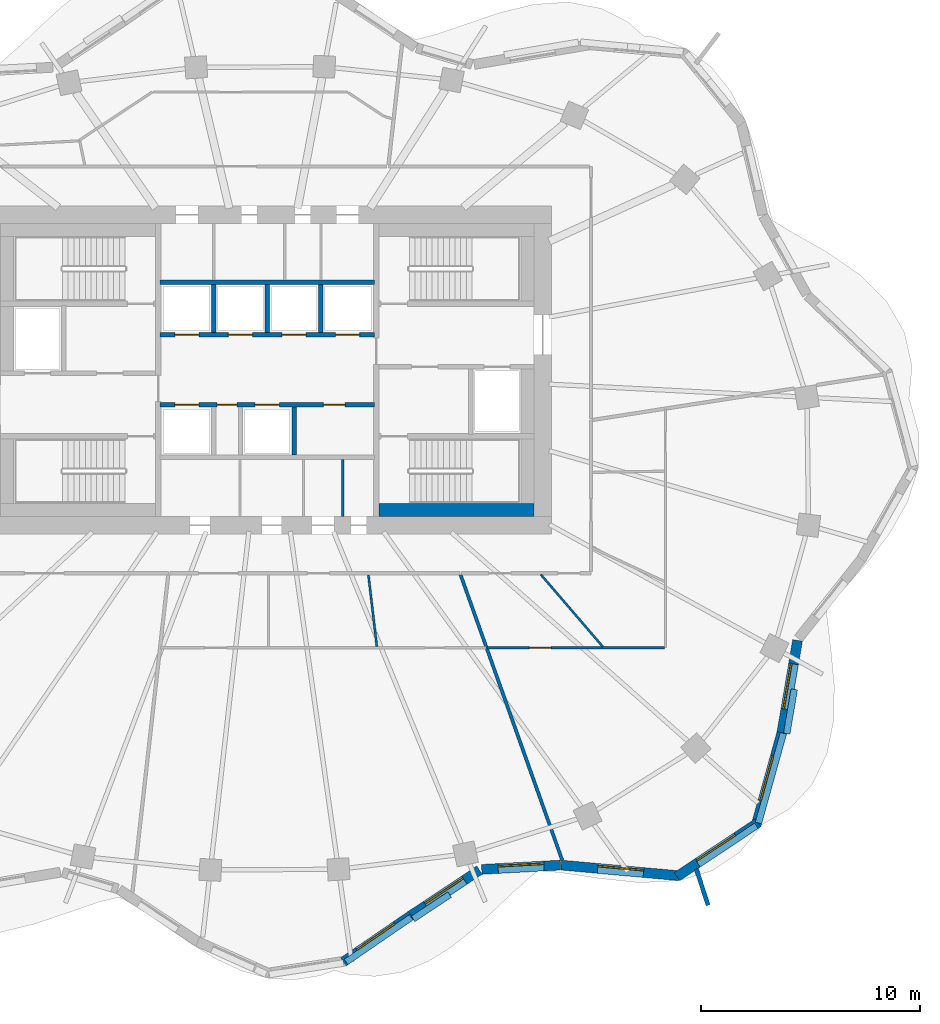
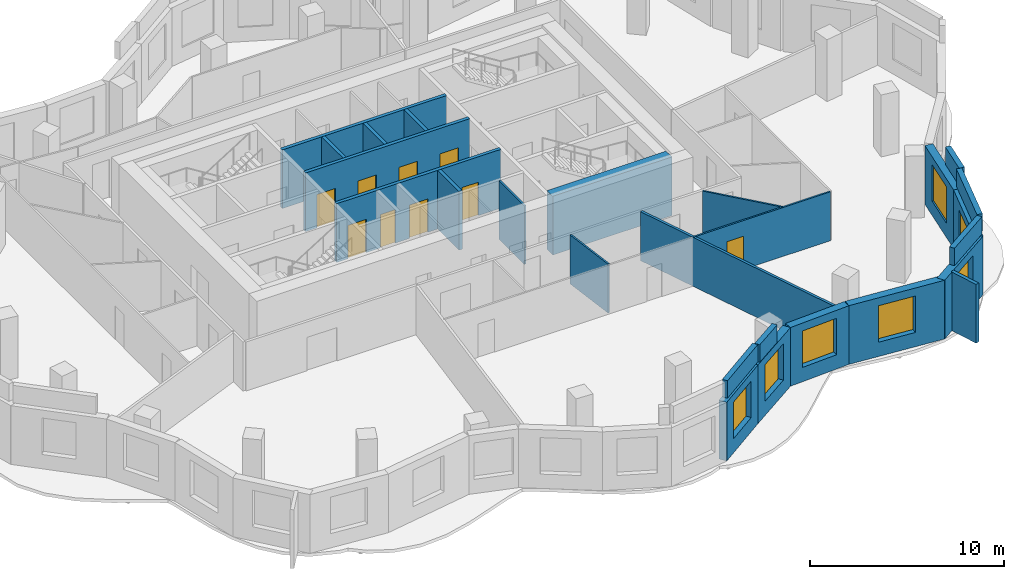
# One storey, part 5 of 9: 26 walls, 9 doors, 7 windows, 16 openings.
"""IFC4 building model written with IfcOpenShell, lengths in metres."""

from ifc_helpers import new_model, si_unit, direction, frame, frame_2d, origin, place, context, subcontext, project, spatial, rectangle, extrude, material, layer, layer_set, type_object, element, fill, save


model = new_model("IFC4")

# Units and contexts
model_context = context("Model", 3, precision=1e-05, world=origin(), true_north=direction((0.0, 1.0)))
body_context = subcontext(model_context, "Body", "Model", "MODEL_VIEW")
ifc_project = project(units=[si_unit("LENGTHUNIT", "METRE"), si_unit("AREAUNIT", "SQUARE_METRE"), si_unit("VOLUMEUNIT", "CUBIC_METRE"), si_unit("PLANEANGLEUNIT", "RADIAN"), si_unit("MASSUNIT", "GRAM", prefix="KILO")], contexts=[model_context])

# Site, building, storey
site_placement = place(None, origin())
site = spatial("IfcSite", under=ifc_project, at=site_placement, CompositionType="ELEMENT")
building_placement = place(site_placement, origin())
building = spatial("IfcBuilding", under=site, at=building_placement, Name="Rubra Terraces Tower", CompositionType="ELEMENT")
storey_placement = place(building_placement, frame((0.0, 0.0, 248.699951171875)))
storey = spatial("IfcBuildingStorey", under=building, at=storey_placement, Name="L61", CompositionType="ELEMENT", Elevation=248.699951171875)

# Wall, opening, window
ifc_material_1 = material(Name="Brick masonry red-brown", Category="masonry")
ifc_layer_1 = layer(ifc_material_1, 0.449951171875)
ifc_layer_set_1 = layer_set([ifc_layer_1], Name="Brick masonry red-brown")
wall_type_1 = type_object("IfcWallType", Name="Brick facade wall 450", PredefinedType="SOLIDWALL", material=ifc_layer_set_1)
wall_1_placement = place(storey_placement, frame((3.478515625, -22.559814453125, 0.0), z_axis=(0.0, 0.0, 1.0), x_axis=(0.824722766417, 0.565537230033, 0.0)))
wall_1 = element("IfcWall", 1, at=wall_1_placement, inside=storey, type_object=wall_type_1, Name="Facade wall L61 bay 32", PredefinedType="SOLIDWALL", context=body_context, shape_type="SweptSolid", body=[
    extrude(rectangle(XDim=3.742431640625, YDim=0.449951171875, at=frame_2d((1.87109375, 0.0))), origin(), (0.0, 0.0, 1.0), 3.699951171875),
])
opening_1_placement = place(wall_1_placement, frame((0.8212890625, 0.0, 0.89990234375)))
opening_1 = element("IfcOpeningElement", 2, at=opening_1_placement, cuts=wall_1, Name="Opening W1B", PredefinedType="OPENING", context=body_context, shape_type="SweptSolid", body=[
    extrude(rectangle(XDim=2.10009765625, YDim=2.300048828125, at=frame_2d((1.050048828125, 1.14990234375))), frame((0.0, 0.23486328125, 0.0), z_axis=(0.0, -1.0, 0.0), x_axis=(1.0, 0.0, 0.0)), (0.0, 0.0, 1.0), 0.469970703125),
])
ifc_material_2 = material(Name="Clear glass in aluminium frame", Category="aluminium")
window_type = type_object("IfcWindowType", Name="Fixed deep-set window tall storey 2100 x 2300", PartitioningType="SINGLE_PANEL", PredefinedType="WINDOW", material=ifc_material_2)
window_1_placement = place(opening_1_placement, origin())
window_1 = element("IfcWindow", 3, at=window_1_placement, inside=storey, type_object=window_type, Name="Window L61 bay 32", OverallHeight=2.300048828125, OverallWidth=2.10009765625, PartitioningType="SINGLE_PANEL", PredefinedType="WINDOW", context=body_context, shape_type="SweptSolid", body=[
    extrude(rectangle(XDim=2.10009765625, YDim=2.300048828125, at=frame_2d((1.050048828125, 1.14990234375))), frame((0.0, 0.135009765625, 0.0), z_axis=(0.0, -1.0, 0.0), x_axis=(1.0, 0.0, 0.0)), (0.0, 0.0, 1.0), 0.06005859375),
])
fill(opening_1, window_1)

wall_2_placement = place(storey_placement, frame((6.568115234375, -20.44140625, 0.0), z_axis=(0.0, 0.0, 1.0), x_axis=(0.834034214531, 0.551712723246, 0.0)))
wall_2 = element("IfcWall", 4, at=wall_2_placement, inside=storey, type_object=wall_type_1, Name="Facade wall L61 bay 33", PredefinedType="SOLIDWALL", context=body_context, shape_type="SweptSolid", body=[
    extrude(rectangle(XDim=3.75732421875, YDim=0.449951171875, at=frame_2d((1.878662109375, 0.0))), origin(), (0.0, 0.0, 1.0), 3.699951171875),
])
opening_2_placement = place(wall_2_placement, frame((0.82861328125, 0.0, 0.89990234375)))
opening_2 = element("IfcOpeningElement", 5, at=opening_2_placement, cuts=wall_2, Name="Opening W1B", PredefinedType="OPENING", context=body_context, shape_type="SweptSolid", body=[
    extrude(rectangle(XDim=2.10009765625, YDim=2.300048828125, at=frame_2d((1.050048828125, 1.14990234375))), frame((0.0, 0.23486328125, 0.0), z_axis=(0.0, -1.0, 0.0), x_axis=(1.0, 0.0, 0.0)), (0.0, 0.0, 1.0), 0.469970703125),
])
window_2_placement = place(opening_2_placement, origin())
window_2 = element("IfcWindow", 6, at=window_2_placement, inside=storey, type_object=window_type, Name="Window L61 bay 33", OverallHeight=2.300048828125, OverallWidth=2.10009765625, PartitioningType="SINGLE_PANEL", PredefinedType="WINDOW", context=body_context, shape_type="SweptSolid", body=[
    extrude(rectangle(XDim=2.10009765625, YDim=2.300048828125, at=frame_2d((1.050048828125, 1.14990234375))), frame((0.0, 0.135009765625, 0.0), z_axis=(0.0, -1.0, 0.0), x_axis=(1.0, 0.0, 0.0)), (0.0, 0.0, 1.0), 0.06005859375),
])
fill(opening_2, window_2)

wall_3_placement = place(storey_placement, frame((9.80322265625, -18.333740234375, 0.0), z_axis=(0.0, 0.0, 1.0), x_axis=(0.998525941495, 0.054276552602, 0.0)))
wall_3 = element("IfcWall", 7, at=wall_3_placement, inside=storey, type_object=wall_type_1, Name="Facade wall L61 bay 34", PredefinedType="SOLIDWALL", context=body_context, shape_type="SweptSolid", body=[
    extrude(rectangle(XDim=3.60302734375, YDim=0.449951171875, at=frame_2d((1.801513671875, 0.0))), origin(), (0.0, 0.0, 1.0), 3.699951171875),
])
opening_3_placement = place(wall_3_placement, frame((0.75146484375, 0.0, 0.89990234375)))
opening_3 = element("IfcOpeningElement", 8, at=opening_3_placement, cuts=wall_3, Name="Opening W1B", PredefinedType="OPENING", context=body_context, shape_type="SweptSolid", body=[
    extrude(rectangle(XDim=2.10009765625, YDim=2.300048828125, at=frame_2d((1.050048828125, 1.14990234375))), frame((0.0, 0.23486328125, 0.0), z_axis=(0.0, -1.0, 0.0), x_axis=(1.0, 0.0, 0.0)), (0.0, 0.0, 1.0), 0.469970703125),
])
window_3_placement = place(opening_3_placement, origin())
window_3 = element("IfcWindow", 9, at=window_3_placement, inside=storey, type_object=window_type, Name="Window L61 bay 34", OverallHeight=2.300048828125, OverallWidth=2.10009765625, PartitioningType="SINGLE_PANEL", PredefinedType="WINDOW", context=body_context, shape_type="SweptSolid", body=[
    extrude(rectangle(XDim=2.10009765625, YDim=2.300048828125, at=frame_2d((1.050048828125, 1.14990234375))), frame((0.0, 0.135009765625, 0.0), z_axis=(0.0, -1.0, 0.0), x_axis=(1.0, 0.0, 0.0)), (0.0, 0.0, 1.0), 0.06005859375),
])
fill(opening_3, window_3)

wall_4_placement = place(storey_placement, frame((13.435791015625, -18.1376953125, 0.0), z_axis=(0.0, 0.0, 1.0), x_axis=(0.99598810213, -0.089485755376, 0.0)))
wall_4 = element("IfcWall", 10, at=wall_4_placement, inside=storey, type_object=wall_type_1, Name="Facade wall L61 bay 35", PredefinedType="SOLIDWALL", context=body_context, shape_type="SweptSolid", body=[
    extrude(rectangle(XDim=5.451171875, YDim=0.449951171875, at=frame_2d((2.7255859375, 0.0))), origin(), (0.0, 0.0, 1.0), 3.699951171875),
])
opening_4_placement = place(wall_4_placement, frame((1.675537109375, 0.0, 0.89990234375)))
opening_4 = element("IfcOpeningElement", 11, at=opening_4_placement, cuts=wall_4, Name="Opening W1B", PredefinedType="OPENING", context=body_context, shape_type="SweptSolid", body=[
    extrude(rectangle(XDim=2.10009765625, YDim=2.300048828125, at=frame_2d((1.050048828125, 1.14990234375))), frame((0.0, 0.23486328125, 0.0), z_axis=(0.0, -1.0, 0.0), x_axis=(1.0, 0.0, 0.0)), (0.0, 0.0, 1.0), 0.469970703125),
])
window_4_placement = place(opening_4_placement, origin())
window_4 = element("IfcWindow", 12, at=window_4_placement, inside=storey, type_object=window_type, Name="Window L61 bay 35", OverallHeight=2.300048828125, OverallWidth=2.10009765625, PartitioningType="SINGLE_PANEL", PredefinedType="WINDOW", context=body_context, shape_type="SweptSolid", body=[
    extrude(rectangle(XDim=2.10009765625, YDim=2.300048828125, at=frame_2d((1.050048828125, 1.14990234375))), frame((0.0, 0.135009765625, 0.0), z_axis=(0.0, -1.0, 0.0), x_axis=(1.0, 0.0, 0.0)), (0.0, 0.0, 1.0), 0.06005859375),
])
fill(opening_4, window_4)

wall_5_placement = place(storey_placement, frame((18.7255859375, -18.66259765625, 0.0), z_axis=(0.0, 0.0, 1.0), x_axis=(0.83333921474, 0.552761931736, 0.0)))
wall_5 = element("IfcWall", 13, at=wall_5_placement, inside=storey, type_object=wall_type_1, Name="Facade wall L61 bay 36", PredefinedType="SOLIDWALL", context=body_context, shape_type="SweptSolid", body=[
    extrude(rectangle(XDim=4.45068359375, YDim=0.449951171875, at=frame_2d((2.225341796875, 0.0))), origin(), (0.0, 0.0, 1.0), 3.699951171875),
])
opening_5_placement = place(wall_5_placement, frame((1.17529296875, 0.0, 0.89990234375)))
opening_5 = element("IfcOpeningElement", 14, at=opening_5_placement, cuts=wall_5, Name="Opening W1B", PredefinedType="OPENING", context=body_context, shape_type="SweptSolid", body=[
    extrude(rectangle(XDim=2.10009765625, YDim=2.300048828125, at=frame_2d((1.050048828125, 1.14990234375))), frame((0.0, 0.23486328125, 0.0), z_axis=(0.0, -1.0, 0.0), x_axis=(1.0, 0.0, 0.0)), (0.0, 0.0, 1.0), 0.469970703125),
])
window_5_placement = place(opening_5_placement, origin())
window_5 = element("IfcWindow", 15, at=window_5_placement, inside=storey, type_object=window_type, Name="Window L61 bay 36", OverallHeight=2.300048828125, OverallWidth=2.10009765625, PartitioningType="SINGLE_PANEL", PredefinedType="WINDOW", context=body_context, shape_type="SweptSolid", body=[
    extrude(rectangle(XDim=2.10009765625, YDim=2.300048828125, at=frame_2d((1.050048828125, 1.14990234375))), frame((0.0, 0.135009765625, 0.0), z_axis=(0.0, -1.0, 0.0), x_axis=(1.0, 0.0, 0.0)), (0.0, 0.0, 1.0), 0.06005859375),
])
fill(opening_5, window_5)

wall_6_placement = place(storey_placement, frame((22.343505859375, -16.32568359375, 0.0), z_axis=(0.0, 0.0, 1.0), x_axis=(0.267925456304, 0.963439645159, 0.0)))
wall_6 = element("IfcWall", 16, at=wall_6_placement, inside=storey, type_object=wall_type_1, Name="Facade wall L61 bay 37", PredefinedType="SOLIDWALL", context=body_context, shape_type="SweptSolid", body=[
    extrude(rectangle(XDim=4.4267578125, YDim=0.449951171875, at=frame_2d((2.21337890625, 0.0))), origin(), (0.0, 0.0, 1.0), 3.699951171875),
])
opening_6_placement = place(wall_6_placement, frame((1.16357421875, 0.0, 0.89990234375)))
opening_6 = element("IfcOpeningElement", 17, at=opening_6_placement, cuts=wall_6, Name="Opening W1B", PredefinedType="OPENING", context=body_context, shape_type="SweptSolid", body=[
    extrude(rectangle(XDim=2.10009765625, YDim=2.300048828125, at=frame_2d((1.050048828125, 1.14990234375))), frame((0.0, 0.23486328125, 0.0), z_axis=(0.0, -1.0, 0.0), x_axis=(1.0, 0.0, 0.0)), (0.0, 0.0, 1.0), 0.469970703125),
])
window_6_placement = place(opening_6_placement, origin())
window_6 = element("IfcWindow", 18, at=window_6_placement, inside=storey, type_object=window_type, Name="Window L61 bay 37", OverallHeight=2.300048828125, OverallWidth=2.10009765625, PartitioningType="SINGLE_PANEL", PredefinedType="WINDOW", context=body_context, shape_type="SweptSolid", body=[
    extrude(rectangle(XDim=2.10009765625, YDim=2.300048828125, at=frame_2d((1.050048828125, 1.14990234375))), frame((0.0, 0.135009765625, 0.0), z_axis=(0.0, -1.0, 0.0), x_axis=(1.0, 0.0, 0.0)), (0.0, 0.0, 1.0), 0.06005859375),
])
fill(opening_6, window_6)

wall_7_placement = place(storey_placement, frame((23.524169921875, -12.0830078125, 0.0), z_axis=(0.0, 0.0, 1.0), x_axis=(0.167445072349, 0.985881406532, 0.0)))
wall_7 = element("IfcWall", 19, at=wall_7_placement, inside=storey, type_object=wall_type_1, Name="Facade wall L61 bay 38", PredefinedType="SOLIDWALL", context=body_context, shape_type="SweptSolid", body=[
    extrude(rectangle(XDim=4.27490234375, YDim=0.449951171875, at=frame_2d((2.137451171875, 0.0))), origin(), (0.0, 0.0, 1.0), 3.699951171875),
])
opening_7_placement = place(wall_7_placement, frame((1.08740234375, 0.0, 0.89990234375)))
opening_7 = element("IfcOpeningElement", 20, at=opening_7_placement, cuts=wall_7, Name="Opening W1B", PredefinedType="OPENING", context=body_context, shape_type="SweptSolid", body=[
    extrude(rectangle(XDim=2.10009765625, YDim=2.300048828125, at=frame_2d((1.050048828125, 1.14990234375))), frame((0.0, 0.23486328125, 0.0), z_axis=(0.0, -1.0, 0.0), x_axis=(1.0, 0.0, 0.0)), (0.0, 0.0, 1.0), 0.469970703125),
])
window_7_placement = place(opening_7_placement, origin())
window_7 = element("IfcWindow", 21, at=window_7_placement, inside=storey, type_object=window_type, Name="Window L61 bay 38", OverallHeight=2.300048828125, OverallWidth=2.10009765625, PartitioningType="SINGLE_PANEL", PredefinedType="WINDOW", context=body_context, shape_type="SweptSolid", body=[
    extrude(rectangle(XDim=2.10009765625, YDim=2.300048828125, at=frame_2d((1.050048828125, 1.14990234375))), frame((0.0, 0.135009765625, 0.0), z_axis=(0.0, -1.0, 0.0), x_axis=(1.0, 0.0, 0.0)), (0.0, 0.0, 1.0), 0.06005859375),
])
fill(opening_7, window_7)

# Walls
ifc_layer_2 = layer(ifc_material_1, 0.300048828125)
ifc_layer_set_2 = layer_set([ifc_layer_2], Name="Brick masonry red-brown")
wall_type_2 = type_object("IfcWallType", Name="Brick parapet 300", PredefinedType="PARAPET", material=ifc_layer_set_2)
wall_8_placement = place(storey_placement, frame((3.59912109375, -22.56787109375, 3.900146484375), z_axis=(0.0, 0.0, 1.0), x_axis=(0.82476034254, 0.565482428881, 0.0)))
element("IfcWall", 22, at=wall_8_placement, inside=storey, type_object=wall_type_2, Name="Parapet L61 bay 32", PredefinedType="PARAPET", context=body_context, shape_type="SweptSolid", body=[
    extrude(rectangle(XDim=3.61572265625, YDim=0.300048828125, at=frame_2d((1.807861328125, 0.0))), origin(), (0.0, 0.0, 1.0), 1.099853515625),
])
wall_9_placement = place(storey_placement, frame((6.665283203125, -20.593017578125, 3.900146484375), z_axis=(0.0, 0.0, 1.0), x_axis=(0.834027642059, 0.551722658843, 0.0)))
element("IfcWall", 23, at=wall_9_placement, inside=storey, type_object=wall_type_2, Name="Parapet L61 bay 33", PredefinedType="PARAPET", context=body_context, shape_type="SweptSolid", body=[
    extrude(rectangle(XDim=2.008056640625, YDim=0.300048828125, at=frame_2d((1.00390625, 0.0))), origin(), (0.0, 0.0, 1.0), 1.099853515625),
])
wall_10_placement = place(storey_placement, frame((19.70751953125, -18.101318359375, 3.900146484375), z_axis=(0.0, 0.0, 1.0), x_axis=(0.833370664286, 0.552714515738, 0.0)))
element("IfcWall", 24, at=wall_10_placement, inside=storey, type_object=wall_type_2, Name="Parapet L61 bay 36", PredefinedType="PARAPET", context=body_context, shape_type="SweptSolid", body=[
    extrude(rectangle(XDim=3.180419921875, YDim=0.300048828125, at=frame_2d((1.59033203125, 0.0))), origin(), (0.0, 0.0, 1.0), 1.099853515625),
])
wall_11_placement = place(storey_placement, frame((22.452392578125, -16.213134765625, 3.900146484375), z_axis=(0.0, 0.0, 1.0), x_axis=(0.267993020858, 0.963420853403, 0.0)))
element("IfcWall", 25, at=wall_11_placement, inside=storey, type_object=wall_type_2, Name="Parapet L61 bay 37", PredefinedType="PARAPET", context=body_context, shape_type="SweptSolid", body=[
    extrude(rectangle(XDim=4.25537109375, YDim=0.300048828125, at=frame_2d((2.127685546875, 0.0))), origin(), (0.0, 0.0, 1.0), 1.099853515625),
])
wall_12_placement = place(storey_placement, frame((23.7451171875, -12.125, 3.900146484375), z_axis=(0.0, 0.0, 1.0), x_axis=(0.16743218322, 0.985883595574, 0.0)))
element("IfcWall", 26, at=wall_12_placement, inside=storey, type_object=wall_type_2, Name="Parapet L61 bay 38", PredefinedType="PARAPET", context=body_context, shape_type="SweptSolid", body=[
    extrude(rectangle(XDim=2.048583984375, YDim=0.300048828125, at=frame_2d((1.0244140625, 0.0))), origin(), (0.0, 0.0, 1.0), 1.099853515625),
])
ifc_layer_3 = layer(ifc_material_1, 0.199951171875)
ifc_layer_set_3 = layer_set([ifc_layer_3], Name="Brick masonry red-brown")
wall_type_3 = type_object("IfcWallType", Name="Brick wind fin 200", PredefinedType="SOLIDWALL", material=ifc_layer_set_3)
wall_13_placement = place(storey_placement, frame((19.60888671875, -18.304931640625, 0.0), z_axis=(0.0, 0.0, 1.0), x_axis=(0.308600224758, -0.951191832008, 0.0)))
element("IfcWall", 27, at=wall_13_placement, inside=storey, type_object=wall_type_3, Name="Wind fin L61 22", PredefinedType="SOLIDWALL", context=body_context, shape_type="SweptSolid", body=[
    extrude(rectangle(XDim=1.75, YDim=0.199951171875, at=frame_2d((0.875, 0.0))), origin(), (0.0, 0.0, 1.0), 3.699951171875),
])
ifc_material_3 = material(Name="Concrete C40", Category="concrete")
ifc_layer_4 = layer(ifc_material_3, 0.60009765625)
ifc_layer_set_4 = layer_set([ifc_layer_4], Name="Concrete C40")
wall_type_4 = type_object("IfcWallType", Name="Core lining wall 600 concrete", PredefinedType="SOLIDWALL", material=ifc_layer_set_4)
wall_14_placement = place(storey_placement, frame((12.199951171875, -1.89990234375, 0.0), z_axis=(0.0, 0.0, 1.0), x_axis=(-1.0, 0.0, 0.0)))
element("IfcWall", 28, at=wall_14_placement, inside=storey, type_object=wall_type_4, Name="CORE LINING WALL L61", PredefinedType="SOLIDWALL", context=body_context, shape_type="SweptSolid", body=[
    extrude(rectangle(XDim=7.099853515625, YDim=0.60009765625, at=frame_2d((3.5498046875, 0.0))), origin(), (0.0, 0.0, 1.0), 3.699951171875),
])

# Wall, openings, doors
ifc_material_4 = material(Name="Concrete C30", Category="concrete")
ifc_layer_5 = layer(ifc_material_4, 0.199951171875)
ifc_layer_set_5 = layer_set([ifc_layer_5], Name="Concrete C30")
wall_type_5 = type_object("IfcWallType", Name="Core wall 200 concrete", PredefinedType="SOLIDWALL", material=ifc_layer_set_5)
wall_15_placement = place(storey_placement, frame((-4.89990234375, 2.89990234375, 0.0), z_axis=(0.0, 0.0, 1.0), x_axis=(1.0, 0.0, 0.0)))
wall_15 = element("IfcWall", 29, at=wall_15_placement, inside=storey, type_object=wall_type_5, Name="LIFT SHAFT WALL L61", PredefinedType="SOLIDWALL", context=body_context, shape_type="SweptSolid", body=[
    extrude(rectangle(XDim=9.7998046875, YDim=0.199951171875, at=frame_2d((4.89990234375, 0.0))), origin(), (0.0, 0.0, 1.0), 3.699951171875),
])
opening_8_placement = place(wall_15_placement, frame((0.675048828125, 0.0, 0.0)))
opening_8 = element("IfcOpeningElement", 30, at=opening_8_placement, cuts=wall_15, Name="Opening L61.C13", PredefinedType="OPENING", context=body_context, shape_type="SweptSolid", body=[
    extrude(rectangle(XDim=1.10009765625, YDim=2.10009765625, at=frame_2d((0.550048828125, 1.050048828125))), frame((0.0, 0.10986328125, 0.0), z_axis=(0.0, -1.0, 0.0), x_axis=(1.0, 0.0, 0.0)), (0.0, 0.0, 1.0), 0.219970703125),
])
opening_9_placement = place(wall_15_placement, frame((2.613037109375, 0.0, 0.0)))
opening_9 = element("IfcOpeningElement", 31, at=opening_9_placement, cuts=wall_15, Name="Opening L61.C14", PredefinedType="OPENING", context=body_context, shape_type="SweptSolid", body=[
    extrude(rectangle(XDim=0.89990234375, YDim=2.10009765625, at=frame_2d((0.449951171875, 1.050048828125))), frame((0.0, 0.10986328125, 0.0), z_axis=(0.0, -1.0, 0.0), x_axis=(1.0, 0.0, 0.0)), (0.0, 0.0, 1.0), 0.219970703125),
])
opening_10_placement = place(wall_15_placement, frame((4.35009765625, 0.0, 0.0)))
opening_10 = element("IfcOpeningElement", 32, at=opening_10_placement, cuts=wall_15, Name="Opening L61.C15", PredefinedType="OPENING", context=body_context, shape_type="SweptSolid", body=[
    extrude(rectangle(XDim=1.10009765625, YDim=2.10009765625, at=frame_2d((0.550048828125, 1.050048828125))), frame((0.0, 0.10986328125, 0.0), z_axis=(0.0, -1.0, 0.0), x_axis=(1.0, 0.0, 0.0)), (0.0, 0.0, 1.0), 0.219970703125),
])
opening_11_placement = place(wall_15_placement, frame((7.462890625, 0.0, 0.0)))
opening_11 = element("IfcOpeningElement", 33, at=opening_11_placement, cuts=wall_15, Name="Opening L61.C16", PredefinedType="OPENING", context=body_context, shape_type="SweptSolid", body=[
    extrude(rectangle(XDim=1.0, YDim=2.10009765625, at=frame_2d((0.5, 1.050048828125))), frame((0.0, 0.10986328125, 0.0), z_axis=(0.0, -1.0, 0.0), x_axis=(1.0, 0.0, 0.0)), (0.0, 0.0, 1.0), 0.219970703125),
])
ifc_material_5 = material(Name="Painted steel", Category="steel")
door_type_1 = type_object("IfcDoorType", Name="Fire door 1000x2100 single", OperationType="NOTDEFINED", PredefinedType="DOOR", material=ifc_material_5)
door_1_placement = place(opening_11_placement, origin())
door_1 = element("IfcDoor", 34, at=door_1_placement, inside=storey, type_object=door_type_1, Name="General store door", OperationType="SINGLE_SWING_RIGHT", OverallHeight=2.10009765625, OverallWidth=1.0, PredefinedType="DOOR", context=body_context, shape_type="SweptSolid", body=[
    extrude(rectangle(XDim=1.0, YDim=2.10009765625, at=frame_2d((0.5, 1.050048828125))), frame((0.0, 0.02490234375, 0.0), z_axis=(0.0, -1.0, 0.0), x_axis=(1.0, 0.0, 0.0)), (0.0, 0.0, 1.0), 0.050048828125),
])
fill(opening_11, door_1)
door_type_2 = type_object("IfcDoorType", Name="Fire door 900x2100 single", OperationType="NOTDEFINED", PredefinedType="DOOR", material=ifc_material_5)
door_2_placement = place(opening_9_placement, origin())
door_2 = element("IfcDoor", 35, at=door_2_placement, inside=storey, type_object=door_type_2, Name="Cleaner's store door", OperationType="SINGLE_SWING_RIGHT", OverallHeight=2.10009765625, OverallWidth=0.89990234375, PredefinedType="DOOR", context=body_context, shape_type="SweptSolid", body=[
    extrude(rectangle(XDim=0.89990234375, YDim=2.10009765625, at=frame_2d((0.449951171875, 1.050048828125))), frame((0.0, 0.02490234375, 0.0), z_axis=(0.0, -1.0, 0.0), x_axis=(1.0, 0.0, 0.0)), (0.0, 0.0, 1.0), 0.050048828125),
])
fill(opening_9, door_2)
ifc_material_6 = material(Name="Stainless steel", Category="steel")
door_type_3 = type_object("IfcDoorType", Name="Lift landing door 1100x2100", OperationType="NOTDEFINED", PredefinedType="DOOR", material=ifc_material_6)
door_3_placement = place(opening_8_placement, origin())
door_3 = element("IfcDoor", 36, at=door_3_placement, inside=storey, type_object=door_type_3, Name="Landing door HB1", OperationType="SLIDING_TO_RIGHT", OverallHeight=2.10009765625, OverallWidth=1.10009765625, PredefinedType="DOOR", context=body_context, shape_type="SweptSolid", body=[
    extrude(rectangle(XDim=1.10009765625, YDim=2.10009765625, at=frame_2d((0.550048828125, 1.050048828125))), frame((0.0, 0.02490234375, 0.0), z_axis=(0.0, -1.0, 0.0), x_axis=(1.0, 0.0, 0.0)), (0.0, 0.0, 1.0), 0.050048828125),
])
fill(opening_8, door_3)
door_4_placement = place(opening_10_placement, origin())
door_4 = element("IfcDoor", 37, at=door_4_placement, inside=storey, type_object=door_type_3, Name="Landing door HB2", OperationType="SLIDING_TO_LEFT", OverallHeight=2.10009765625, OverallWidth=1.10009765625, PredefinedType="DOOR", context=body_context, shape_type="SweptSolid", body=[
    extrude(rectangle(XDim=1.10009765625, YDim=2.10009765625, at=frame_2d((0.550048828125, 1.050048828125))), frame((0.0, 0.02490234375, 0.0), z_axis=(0.0, -1.0, 0.0), x_axis=(1.0, 0.0, 0.0)), (0.0, 0.0, 1.0), 0.050048828125),
])
fill(opening_10, door_4)

wall_16_placement = place(storey_placement, frame((-4.89990234375, 6.10009765625, 0.0), z_axis=(0.0, 0.0, 1.0), x_axis=(1.0, 0.0, 0.0)))
wall_16 = element("IfcWall", 38, at=wall_16_placement, inside=storey, type_object=wall_type_5, Name="LIFT SHAFT WALL L61", PredefinedType="SOLIDWALL", context=body_context, shape_type="SweptSolid", body=[
    extrude(rectangle(XDim=9.7998046875, YDim=0.199951171875, at=frame_2d((4.89990234375, 0.0))), origin(), (0.0, 0.0, 1.0), 3.699951171875),
])
opening_12_placement = place(wall_16_placement, frame((0.675048828125, 0.0, 0.0)))
opening_12 = element("IfcOpeningElement", 39, at=opening_12_placement, cuts=wall_16, Name="Opening L61.C17", PredefinedType="OPENING", context=body_context, shape_type="SweptSolid", body=[
    extrude(rectangle(XDim=1.10009765625, YDim=2.10009765625, at=frame_2d((0.550048828125, 1.050048828125))), frame((0.0, 0.10986328125, 0.0), z_axis=(0.0, -1.0, 0.0), x_axis=(1.0, 0.0, 0.0)), (0.0, 0.0, 1.0), 0.219970703125),
])
opening_13_placement = place(wall_16_placement, frame((3.125, 0.0, 0.0)))
opening_13 = element("IfcOpeningElement", 40, at=opening_13_placement, cuts=wall_16, Name="Opening L61.C18", PredefinedType="OPENING", context=body_context, shape_type="SweptSolid", body=[
    extrude(rectangle(XDim=1.10009765625, YDim=2.10009765625, at=frame_2d((0.550048828125, 1.050048828125))), frame((0.0, 0.10986328125, 0.0), z_axis=(0.0, -1.0, 0.0), x_axis=(1.0, 0.0, 0.0)), (0.0, 0.0, 1.0), 0.219970703125),
])
opening_14_placement = place(wall_16_placement, frame((5.574951171875, 0.0, 0.0)))
opening_14 = element("IfcOpeningElement", 41, at=opening_14_placement, cuts=wall_16, Name="Opening L61.C19", PredefinedType="OPENING", context=body_context, shape_type="SweptSolid", body=[
    extrude(rectangle(XDim=1.10009765625, YDim=2.10009765625, at=frame_2d((0.550048828125, 1.050048828125))), frame((0.0, 0.10986328125, 0.0), z_axis=(0.0, -1.0, 0.0), x_axis=(1.0, 0.0, 0.0)), (0.0, 0.0, 1.0), 0.219970703125),
])
opening_15_placement = place(wall_16_placement, frame((8.02490234375, 0.0, 0.0)))
opening_15 = element("IfcOpeningElement", 42, at=opening_15_placement, cuts=wall_16, Name="Opening L61.C20", PredefinedType="OPENING", context=body_context, shape_type="SweptSolid", body=[
    extrude(rectangle(XDim=1.10009765625, YDim=2.10009765625, at=frame_2d((0.550048828125, 1.050048828125))), frame((0.0, 0.10986328125, 0.0), z_axis=(0.0, -1.0, 0.0), x_axis=(1.0, 0.0, 0.0)), (0.0, 0.0, 1.0), 0.219970703125),
])
door_5_placement = place(opening_12_placement, origin())
door_5 = element("IfcDoor", 43, at=door_5_placement, inside=storey, type_object=door_type_3, Name="Landing door HB3", OperationType="SLIDING_TO_RIGHT", OverallHeight=2.10009765625, OverallWidth=1.10009765625, PredefinedType="DOOR", context=body_context, shape_type="SweptSolid", body=[
    extrude(rectangle(XDim=1.10009765625, YDim=2.10009765625, at=frame_2d((0.550048828125, 1.050048828125))), frame((0.0, 0.02490234375, 0.0), z_axis=(0.0, -1.0, 0.0), x_axis=(1.0, 0.0, 0.0)), (0.0, 0.0, 1.0), 0.050048828125),
])
fill(opening_12, door_5)
door_6_placement = place(opening_13_placement, origin())
door_6 = element("IfcDoor", 44, at=door_6_placement, inside=storey, type_object=door_type_3, Name="Landing door HB4", OperationType="SLIDING_TO_LEFT", OverallHeight=2.10009765625, OverallWidth=1.10009765625, PredefinedType="DOOR", context=body_context, shape_type="SweptSolid", body=[
    extrude(rectangle(XDim=1.10009765625, YDim=2.10009765625, at=frame_2d((0.550048828125, 1.050048828125))), frame((0.0, 0.02490234375, 0.0), z_axis=(0.0, -1.0, 0.0), x_axis=(1.0, 0.0, 0.0)), (0.0, 0.0, 1.0), 0.050048828125),
])
fill(opening_13, door_6)
door_7_placement = place(opening_14_placement, origin())
door_7 = element("IfcDoor", 45, at=door_7_placement, inside=storey, type_object=door_type_3, Name="Landing door HB5", OperationType="SLIDING_TO_RIGHT", OverallHeight=2.10009765625, OverallWidth=1.10009765625, PredefinedType="DOOR", context=body_context, shape_type="SweptSolid", body=[
    extrude(rectangle(XDim=1.10009765625, YDim=2.10009765625, at=frame_2d((0.550048828125, 1.050048828125))), frame((0.0, 0.02490234375, 0.0), z_axis=(0.0, -1.0, 0.0), x_axis=(1.0, 0.0, 0.0)), (0.0, 0.0, 1.0), 0.050048828125),
])
fill(opening_14, door_7)
door_8_placement = place(opening_15_placement, origin())
door_8 = element("IfcDoor", 46, at=door_8_placement, inside=storey, type_object=door_type_3, Name="Landing door HB6", OperationType="SLIDING_TO_LEFT", OverallHeight=2.10009765625, OverallWidth=1.10009765625, PredefinedType="DOOR", context=body_context, shape_type="SweptSolid", body=[
    extrude(rectangle(XDim=1.10009765625, YDim=2.10009765625, at=frame_2d((0.550048828125, 1.050048828125))), frame((0.0, 0.02490234375, 0.0), z_axis=(0.0, -1.0, 0.0), x_axis=(1.0, 0.0, 0.0)), (0.0, 0.0, 1.0), 0.050048828125),
])
fill(opening_15, door_8)

# Walls
wall_17_placement = place(storey_placement, frame((-4.89990234375, 8.5, 0.0), z_axis=(0.0, 0.0, 1.0), x_axis=(1.0, 0.0, 0.0)))
element("IfcWall", 47, at=wall_17_placement, inside=storey, type_object=wall_type_5, Name="LIFT SHAFT WALL L61", PredefinedType="SOLIDWALL", context=body_context, shape_type="SweptSolid", body=[
    extrude(rectangle(XDim=9.7998046875, YDim=0.199951171875, at=frame_2d((4.89990234375, 0.0))), origin(), (0.0, 0.0, 1.0), 3.699951171875),
])
for number, where, z_axis, x_axis, name in (
    (48, (1.22509765625, 0.60009765625, 0.0), (0.0, 0.0, 1.0), (0.0, 1.0, 0.0), "LIFT SHAFT WALL L61"),
    (49, (-2.449951171875, 6.199951171875, 0.0), (0.0, 0.0, 1.0), (0.0, 1.0, 0.0), "LIFT SHAFT WALL L61"),
    (50, (0.0, 6.199951171875, 0.0), (0.0, 0.0, 1.0), (0.0, 1.0, 0.0), "LIFT SHAFT WALL L61"),
    (51, (2.449951171875, 6.199951171875, 0.0), (0.0, 0.0, 1.0), (0.0, 1.0, 0.0), "LIFT SHAFT WALL L61"),
):
    element("IfcWall", number, at=place(storey_placement, frame(where, z_axis=z_axis, x_axis=x_axis)), inside=storey, type_object=wall_type_5, Name=name, PredefinedType="SOLIDWALL", context=body_context, shape_type="SweptSolid", body=[
        extrude(rectangle(XDim=2.199951171875, YDim=0.199951171875, at=frame_2d((1.10009765625, 0.0))), origin(), (0.0, 0.0, 1.0), 3.699951171875),
    ])
ifc_material_7 = material(Name="Plasterboard on steel stud", Category="steel")
ifc_layer_6 = layer(ifc_material_7, 0.10009765625)
ifc_layer_set_6 = layer_set([ifc_layer_6], Name="Plasterboard on steel stud")
wall_type_6 = type_object("IfcWallType", Name="ROOM PARTITION 100", PredefinedType="PARTITIONING", material=ifc_layer_set_6)
wall_18_placement = place(storey_placement, frame((4.623046875, -4.87451171875, 0.0), z_axis=(0.0, 0.0, 1.0), x_axis=(0.116871308631, -0.993147067266, 0.0)))
element("IfcWall", 52, at=wall_18_placement, inside=storey, type_object=wall_type_6, Name="PARTITION", PredefinedType="PARTITIONING", context=body_context, shape_type="SweptSolid", body=[
    extrude(rectangle(XDim=3.298583984375, YDim=0.10009765625, at=frame_2d((1.6494140625, 0.0))), origin(), (0.0, 0.0, 1.0), 3.083984375),
])

# Wall, opening, door
wall_19_placement = place(storey_placement, frame((18.14990234375, -8.199951171875, 0.0), z_axis=(0.0, 0.0, 1.0), x_axis=(-1.0, 0.0, 0.0)))
wall_19 = element("IfcWall", 53, at=wall_19_placement, inside=storey, type_object=wall_type_6, Name="PARTITION", PredefinedType="PARTITIONING", context=body_context, shape_type="SweptSolid", body=[
    extrude(rectangle(XDim=8.10546875, YDim=0.10009765625, at=frame_2d((4.052734375, 0.0))), origin(), (0.0, 0.0, 1.0), 3.083984375),
])
opening_16_placement = place(wall_19_placement, frame((5.173095703125, 0.0, 0.0)))
opening_16 = element("IfcOpeningElement", 54, at=opening_16_placement, cuts=wall_19, Name="Opening 61-107", PredefinedType="OPENING", context=body_context, shape_type="SweptSolid", body=[
    extrude(rectangle(XDim=1.0, YDim=2.10009765625, at=frame_2d((0.5, 1.050048828125))), frame((0.0, 0.06005859375, 0.0), z_axis=(0.0, -1.0, 0.0), x_axis=(1.0, 0.0, 0.0)), (0.0, 0.0, 1.0), 0.1201171875),
])
ifc_material_8 = material(Name="Painted timber door leaf", Category="wood")
door_type_4 = type_object("IfcDoorType", Name="ROOM DOOR 1000 X 2100", OperationType="SINGLE_SWING_LEFT", PredefinedType="DOOR", material=ifc_material_8)
door_9_placement = place(opening_16_placement, origin())
door_9 = element("IfcDoor", 55, at=door_9_placement, inside=storey, type_object=door_type_4, Name="DOOR 61-107", OperationType="SINGLE_SWING_RIGHT", OverallHeight=2.10009765625, OverallWidth=1.0, PredefinedType="DOOR", context=body_context, shape_type="SweptSolid", body=[
    extrude(rectangle(XDim=1.0, YDim=2.10009765625, at=frame_2d((0.5, 1.050048828125))), frame((0.0, 0.02490234375, 0.0), z_axis=(0.0, -1.0, 0.0), x_axis=(1.0, 0.0, 0.0)), (0.0, 0.0, 1.0), 0.050048828125),
])
fill(opening_16, door_9)

# Walls
wall_20_placement = place(storey_placement, frame((12.506103515625, -4.85693359375, 0.0), z_axis=(0.0, 0.0, 1.0), x_axis=(0.651598528349, -0.758564010387, 0.0)))
element("IfcWall", 56, at=wall_20_placement, inside=storey, type_object=wall_type_6, Name="PARTITION", PredefinedType="PARTITIONING", context=body_context, shape_type="SweptSolid", body=[
    extrude(rectangle(XDim=4.357177734375, YDim=0.10009765625, at=frame_2d((2.1787109375, 0.0))), origin(), (0.0, 0.0, 1.0), 3.083984375),
])
ifc_layer_7 = layer(ifc_material_7, 0.14990234375)
ifc_layer_set_7 = layer_set([ifc_layer_7], Name="Plasterboard on steel stud")
wall_type_7 = type_object("IfcWallType", Name="ROOM PARTITION 150", PredefinedType="PARTITIONING", material=ifc_layer_set_7)
wall_21_placement = place(storey_placement, frame((13.4833984375, -17.916015625, 0.0), z_axis=(0.0, 0.0, 1.0), x_axis=(-0.335482994468, 0.942046262358, 0.0)))
element("IfcWall", 57, at=wall_21_placement, inside=storey, type_object=wall_type_7, Name="PARTITION", PredefinedType="PARTITIONING", context=body_context, shape_type="SweptSolid", body=[
    extrude(rectangle(XDim=13.847900390625, YDim=0.14990234375, at=frame_2d((6.923828125, 0.0))), origin(), (0.0, 0.0, 1.0), 3.083984375),
])
ifc_material_9 = material(Name="Blockwork", Category="masonry")
ifc_layer_8 = layer(ifc_material_9, 0.10009765625)
ifc_layer_set_8 = layer_set([ifc_layer_8], Name="Blockwork")
wall_type_8 = type_object("IfcWallType", Name="Service partition 100 blockwork", PredefinedType="PARTITIONING", material=ifc_layer_set_8)
wall_22_placement = place(storey_placement, frame((3.449951171875, -2.199951171875, 0.0), z_axis=(0.0, 0.0, 1.0), x_axis=(0.0, 1.0, 0.0)))
element("IfcWall", 58, at=wall_22_placement, inside=storey, type_object=wall_type_8, Name="SERVICE ROOM PARTITION L61", PredefinedType="PARTITIONING", context=body_context, shape_type="SweptSolid", body=[
    extrude(rectangle(XDim=2.599853515625, YDim=0.10009765625, at=frame_2d((1.2998046875, 0.0))), origin(), (0.0, 0.0, 1.0), 3.699951171875),
])

save(model, "model.ifc")
